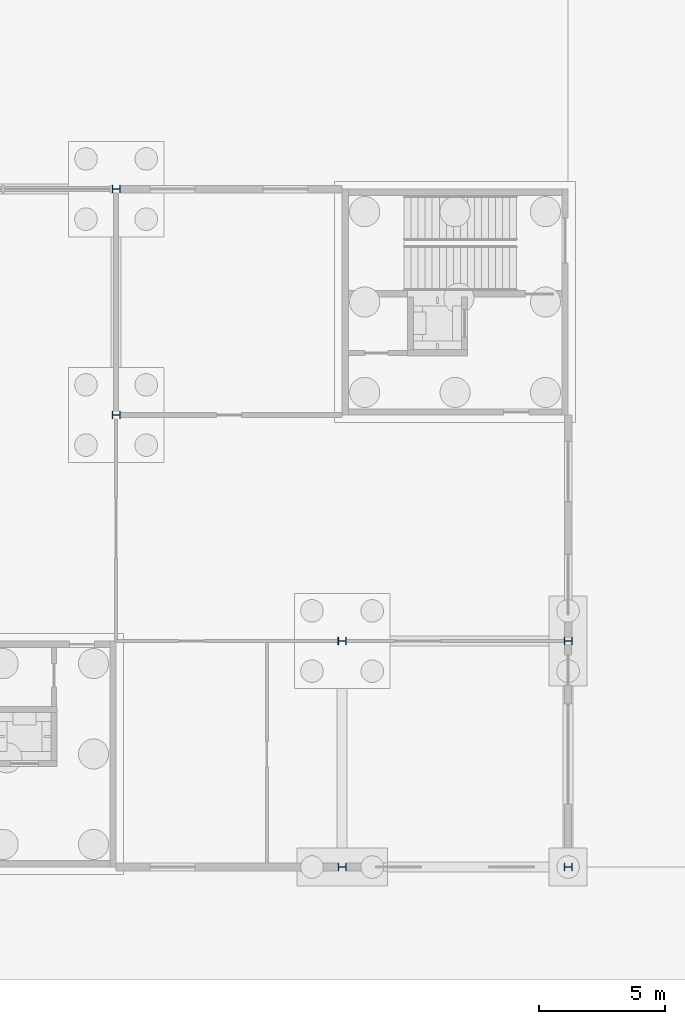
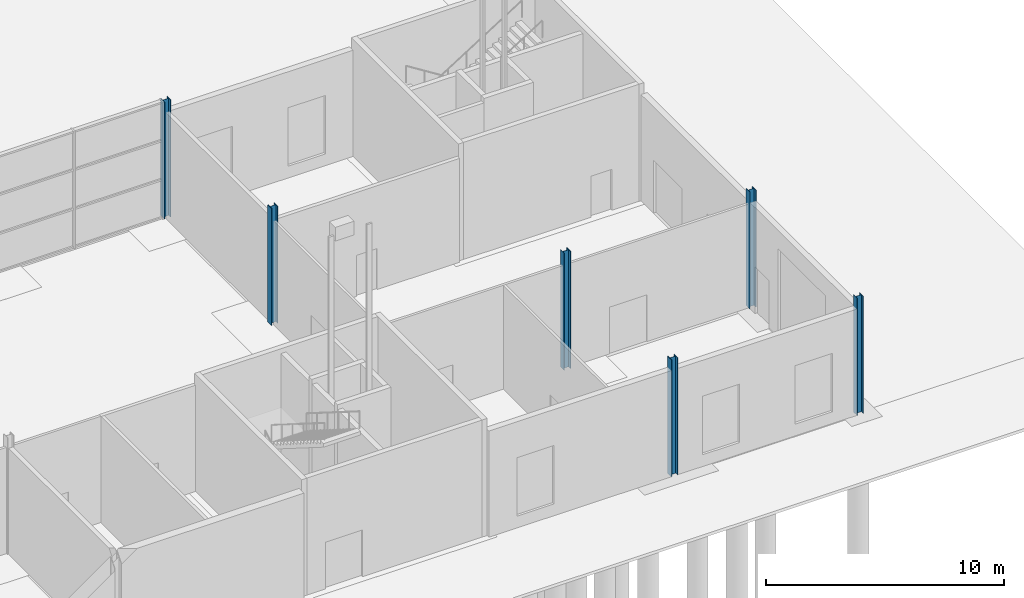
# One storey, part 26 of 97: 6 columns.
"""IFC4 building model written with IfcOpenShell, lengths in metres."""

from ifc_helpers import new_model, si_unit, direction, frame, origin, origin_2d, place, context, subcontext, project, spatial, i_section, extrude, material, material_profile, profile_set, type_object, element, save


model = new_model("IFC4")

# Units and contexts
model_context = context("Model", 3, precision=1e-05, world=origin(), true_north=direction((0.0, 1.0)))
body_context = subcontext(model_context, "Body", "Model", "MODEL_VIEW")
ifc_project = project(units=[si_unit("LENGTHUNIT", "METRE"), si_unit("AREAUNIT", "SQUARE_METRE"), si_unit("VOLUMEUNIT", "CUBIC_METRE"), si_unit("PLANEANGLEUNIT", "RADIAN"), si_unit("MASSUNIT", "GRAM", prefix="KILO")], contexts=[model_context])

# Site, building, storey
site_placement = place(None, origin())
site = spatial("IfcSite", under=ifc_project, at=site_placement, CompositionType="ELEMENT")
building_placement = place(site_placement, origin())
building = spatial("IfcBuilding", under=site, at=building_placement, Name="Corbel Yard City Hall", CompositionType="ELEMENT")
storey_placement = place(building_placement, origin())
storey = spatial("IfcBuildingStorey", under=building, at=storey_placement, Name="L00", CompositionType="ELEMENT", Elevation=0.0)

# Columns
ifc_material = material(Name="Steel Grade 300 (300 MPa yield)", Category="steel")
ifc_material_profile_1 = material_profile(ifc_material, i_section(OverallWidth=0.306884765625, OverallDepth=0.31494140625, WebThickness=0.011962890625, FlangeThickness=0.018798828125, at=origin_2d()), Name="310UC118")
ifc_profile_set_1 = profile_set([ifc_material_profile_1], Name="Steel Grade 300 (300 MPa yield)")
column_type_1 = type_object("IfcColumnType", Name="Column 310UC118", PredefinedType="COLUMN", material=ifc_profile_set_1)
for number, where, z_axis, x_axis, name in (
    (1, (171.0, 0.0, 0.0), (0.0, 0.0, 1.0), (0.0, 1.0, 0.0), "Column 310UC118 A/20 L00"),
    (2, (180.0, 0.0, 0.0), (0.0, 0.0, 1.0), (0.0, 1.0, 0.0), "Column 310UC118 A/21 L00"),
    (3, (180.0, 9.0, 0.0), (0.0, 0.0, 1.0), (0.0, 1.0, 0.0), "Column 310UC118 B/21 L00"),
):
    element("IfcColumn", number, at=place(storey_placement, frame(where, z_axis=z_axis, x_axis=x_axis)), inside=storey, type_object=column_type_1, Name=name, PredefinedType="COLUMN", context=body_context, shape_type="SweptSolid", body=[
        extrude(i_section(OverallWidth=0.306884765625, OverallDepth=0.31494140625, WebThickness=0.011962890625, FlangeThickness=0.018798828125, at=origin_2d()), origin(), (0.0, 0.0, 1.0), 6.0),
    ])
ifc_material_profile_2 = material_profile(ifc_material, i_section(OverallWidth=0.31103515625, OverallDepth=0.326904296875, WebThickness=0.015625, FlangeThickness=0.02490234375, at=origin_2d()), Name="310UC158")
ifc_profile_set_2 = profile_set([ifc_material_profile_2], Name="Steel Grade 300 (300 MPa yield)")
column_type_2 = type_object("IfcColumnType", Name="Column 310UC158", PredefinedType="COLUMN", material=ifc_profile_set_2)
for number, where, z_axis, x_axis, name in (
    (4, (162.0, 18.0, 0.0), (0.0, 0.0, 1.0), (0.0, 1.0, 0.0), "Column 310UC158 C/19 L00"),
    (5, (162.0, 27.0, 0.0), (0.0, 0.0, 1.0), (0.0, 1.0, 0.0), "Column 310UC158 D/19 L00"),
    (6, (171.0, 9.0, 0.0), (0.0, 0.0, 1.0), (0.0, 1.0, 0.0), "Column 310UC158 B/20 L00"),
):
    element("IfcColumn", number, at=place(storey_placement, frame(where, z_axis=z_axis, x_axis=x_axis)), inside=storey, type_object=column_type_2, Name=name, PredefinedType="COLUMN", context=body_context, shape_type="SweptSolid", body=[
        extrude(i_section(OverallWidth=0.31103515625, OverallDepth=0.326904296875, WebThickness=0.015625, FlangeThickness=0.02490234375, at=origin_2d()), origin(), (0.0, 0.0, 1.0), 6.0),
    ])

save(model, "model.ifc")
